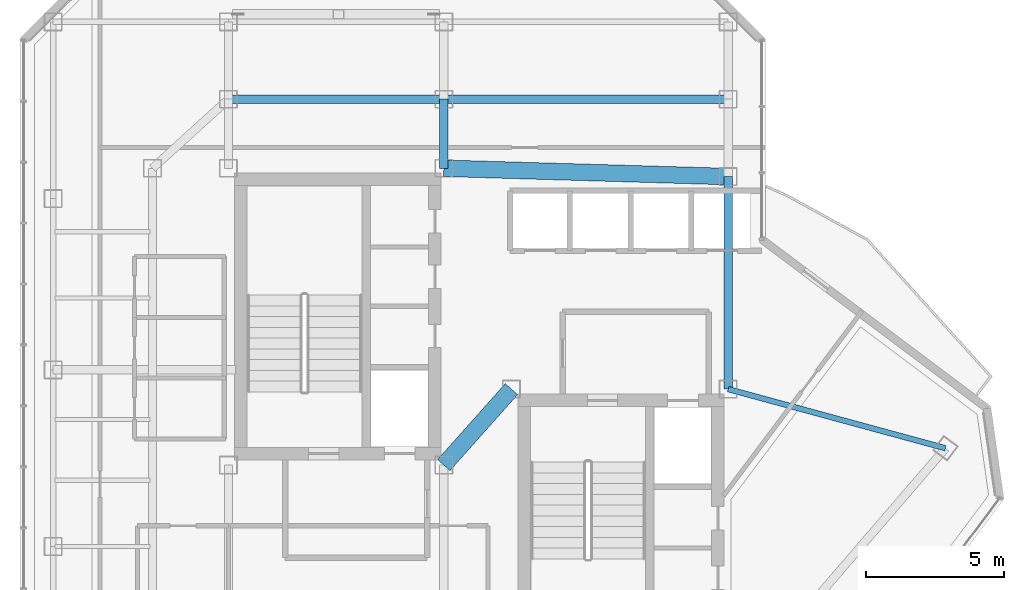
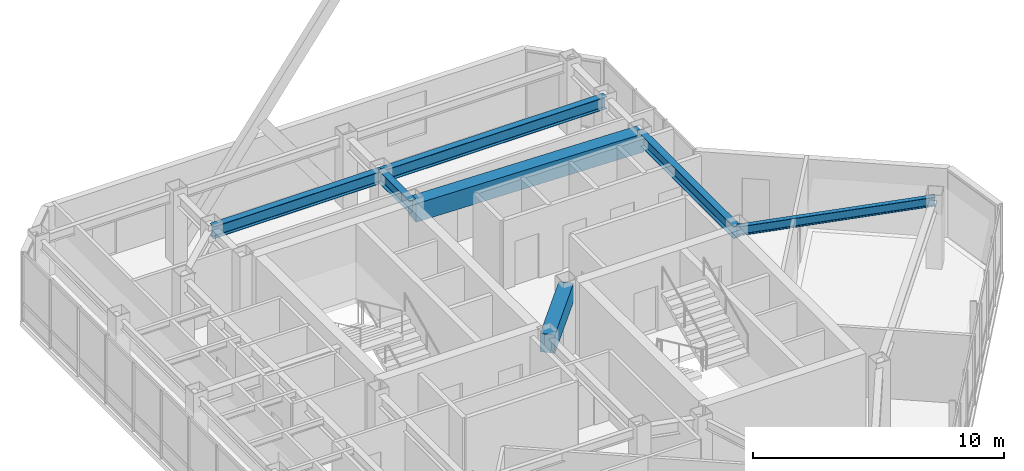
# One storey, part 11 of 22: 7 beams.
"""IFC4 building model written with IfcOpenShell, lengths in metres."""

import ifcopenshell
import ifcopenshell.guid

model = None  # the IFC model being written
_history = None  # IfcOwnerHistory: only IFC2X3 demands one
_inside = {}  # id of a spatial element -> (the spatial element, [elements in it])
_under = {}  # id of a project, library or spatial element -> (it, [spatial elements below it])
_declared = {}  # id of a project -> (the project, [libraries it declares])
_typed = {}  # id of a type object -> (the type object, [elements of that type])
_made_of = {}  # id of a material, layer set ... -> (it, [elements and type objects made of it])


def new_model(schema):
    """Start an empty IFC model of exactly this schema.

    Asked for "IFC4X3", IfcOpenShell would pick the latest addendum, in which some entities
    have other attributes; the version numbers below select the first issue.
    IFC2X3 requires an IfcOwnerHistory on every rooted entity: one is made here for all.
    """
    global model, _history
    if schema == "IFC4X3":
        model = ifcopenshell.file(schema_version=(4, 3, 0, 0))
    else:
        model = ifcopenshell.file(schema=schema)
    _inside.clear()
    _under.clear()
    _declared.clear()
    _typed.clear()
    _made_of.clear()
    _history = None
    if model.schema == "IFC2X3":
        org = make("IfcOrganization", Name="unknown")
        user = make(
            "IfcPersonAndOrganization",
            ThePerson=make("IfcPerson", FamilyName="unknown"),
            TheOrganization=org,
        )
        app = make(
            "IfcApplication",
            ApplicationDeveloper=org,
            Version="unknown",
            ApplicationFullName="unknown",
            ApplicationIdentifier="unknown",
        )
        _history = make(
            "IfcOwnerHistory",
            OwningUser=user,
            OwningApplication=app,
            ChangeAction="ADDED",
            CreationDate=0,
        )
    return model


def make(cls, **values):
    """One entity of the class cls with the attributes given. An attribute that is None is left unset."""
    return model.create_entity(
        cls, **{name: value for name, value in values.items() if value is not None}
    )


def rooted(cls, **values):
    """An entity with a GlobalId (a new one), such as an element, a storey or a relation."""
    return make(cls, GlobalId=ifcopenshell.guid.new(), OwnerHistory=_history, **values)


def si_unit(unit_type, name, prefix=None):
    """IfcSIUnit, for example si_unit("LENGTHUNIT", "METRE", prefix="MILLI")."""
    return make("IfcSIUnit", UnitType=unit_type, Prefix=prefix, Name=name)


def assignment(units):
    """IfcUnitAssignment: the units of a project."""
    return None if units is None else make("IfcUnitAssignment", Units=units)


def point(xyz):
    """IfcCartesianPoint."""
    return None if xyz is None else make("IfcCartesianPoint", Coordinates=xyz)


def direction(xyz):
    """IfcDirection."""
    return None if xyz is None else make("IfcDirection", DirectionRatios=xyz)


def frame(location, z_axis=None, x_axis=None):
    """IfcAxis2Placement3D, a coordinate frame: its origin and axes. An axis left out is left unset."""
    return make(
        "IfcAxis2Placement3D",
        Location=point(location),
        Axis=direction(z_axis),
        RefDirection=direction(x_axis),
    )


def frame_2d(location, x_axis=None):
    """IfcAxis2Placement2D, a coordinate frame in the plane: its origin and x axis."""
    return make(
        "IfcAxis2Placement2D", Location=point(location), RefDirection=direction(x_axis)
    )


def origin():
    """The frame at (0, 0, 0) with its axes left unset."""
    return frame((0.0, 0.0, 0.0))


def origin_2d():
    """The frame at (0, 0) in the plane with its x axis left unset."""
    return frame_2d((0.0, 0.0))


def place(relative_to, where):
    """IfcLocalPlacement: puts the frame where relative to a parent placement (None: the world)."""
    return make(
        "IfcLocalPlacement", PlacementRelTo=relative_to, RelativePlacement=where
    )


def context(
    kind, dimensions, precision=None, world=None, true_north=None, identifier=None
):
    """IfcGeometricRepresentationContext, for example the 3D "Model" context."""
    return make(
        "IfcGeometricRepresentationContext",
        ContextIdentifier=identifier,
        ContextType=kind,
        CoordinateSpaceDimension=dimensions,
        Precision=precision,
        WorldCoordinateSystem=world,
        TrueNorth=true_north,
    )


def subcontext(parent, identifier, kind, view, scale=None):
    """IfcGeometricRepresentationSubContext, for example "Body" below "Model"."""
    return make(
        "IfcGeometricRepresentationSubContext",
        ContextIdentifier=identifier,
        ContextType=kind,
        ParentContext=parent,
        TargetScale=scale,
        TargetView=view,
    )


def project(units=None, contexts=None):
    """IfcProject with its units and contexts."""
    return rooted(
        "IfcProject",
        Name="project",
        RepresentationContexts=contexts,
        UnitsInContext=assignment(units),
    )


def spatial(cls, under=None, at=None, **own):
    """A site, building, storey or space (cls), placed at a placement, below another one or the project."""
    s = rooted(cls, ObjectPlacement=at, **own)
    if under is not None:
        _under.setdefault(under.id(), (under, []))[1].append(s)
    return s


def profile(cls, at=None, kind="AREA", **sizes):
    """A parametric profile (cls). Its sizes go by their IFC names, for example OverallWidth=200.0."""
    return make(cls, ProfileType=kind, Position=at, **sizes)


def rectangle(**sizes):
    """IfcRectangleProfileDef."""
    return profile("IfcRectangleProfileDef", **sizes)


def i_section(**sizes):
    """IfcIShapeProfileDef."""
    return profile("IfcIShapeProfileDef", **sizes)


def extrude(swept, where, along, depth):
    """IfcExtrudedAreaSolid: the profile swept, set in the frame where, extruded along a direction by depth."""
    return make(
        "IfcExtrudedAreaSolid",
        SweptArea=swept,
        Position=where,
        ExtrudedDirection=direction(along),
        Depth=depth,
    )


def shape(context_of_items, identifier, shape_type, items):
    """IfcShapeRepresentation: the items that make up one representation, for example the "Body"."""
    return make(
        "IfcShapeRepresentation",
        ContextOfItems=context_of_items,
        RepresentationIdentifier=identifier,
        RepresentationType=shape_type,
        Items=items,
    )


def material(Name=None, Category=None):
    """IfcMaterial."""
    return make("IfcMaterial", Name=Name, Category=Category)


def material_profile(
    of_material, cross_section, Name=None, Category=None, Priority=None
):
    """IfcMaterialProfile: a cross section and its material."""
    return make(
        "IfcMaterialProfile",
        Name=Name,
        Material=of_material,
        Profile=cross_section,
        Priority=Priority,
        Category=Category,
    )


def profile_set(profiles, Name=None, composite=None):
    """IfcMaterialProfileSet."""
    return make(
        "IfcMaterialProfileSet",
        Name=Name,
        MaterialProfiles=profiles,
        CompositeProfile=composite,
    )


def made_of(thing, what):
    """Note that an element or type object is made of a material, layer set ...; save() writes the relation."""
    if what is not None:
        _made_of.setdefault(what.id(), (what, []))[1].append(thing)
    return thing


def type_object(cls, material=None, **own):
    """A type object (cls), such as IfcWallType, which elements share."""
    return made_of(rooted(cls, **own), material)


def element(
    cls,
    number,
    at=None,
    inside=None,
    cuts=None,
    type_object=None,
    material=None,
    context=None,
    identifier="Body",
    shape_type=None,
    held_by="IfcProductDefinitionShape",
    body=None,
    shapes=None,
    **own,
):
    """One element of the class cls, such as IfcWall. Its Tag is "e" and its number.

    at: its placement. inside: the storey or other place that contains it. cuts: it is an
    opening in that element (IfcRelVoidsElement). A single representation is given by context,
    identifier, shape_type and body (its items); several are given by shapes. held_by: the class
    of the entity that holds the representations. save() writes the other relations.
    """
    e = rooted(cls, Tag="e%d" % number, ObjectPlacement=at, **own)
    if body is not None:
        shapes = [shape(context, identifier, shape_type, body)]
    if shapes is not None:
        e.Representation = make(held_by, Representations=shapes)
    if inside is not None:
        _inside.setdefault(inside.id(), (inside, []))[1].append(e)
    if cuts is not None:
        rooted(
            "IfcRelVoidsElement", RelatingBuildingElement=cuts, RelatedOpeningElement=e
        )
    if type_object is not None:
        _typed.setdefault(type_object.id(), (type_object, []))[1].append(e)
    return made_of(e, material)


def aggregate(whole, parts):
    """IfcRelAggregates: a whole, such as a stair, and the parts it consists of."""
    return rooted("IfcRelAggregates", RelatingObject=whole, RelatedObjects=parts)


def save(model, path):
    """Write the relations noted so far, then the file.

    IfcRelAggregates (storeys below a building ...), IfcRelContainedInSpatialStructure (elements
    in a storey), IfcRelDefinesByType, IfcRelAssociatesMaterial and IfcRelDeclares: one each for
    every whole, place, type object, material and project.
    """
    for whole, parts in _under.values():
        aggregate(whole, parts)
    for where, things in _inside.values():
        rooted(
            "IfcRelContainedInSpatialStructure",
            RelatedElements=things,
            RelatingStructure=where,
        )
    for kind, things in _typed.values():
        rooted("IfcRelDefinesByType", RelatedObjects=things, RelatingType=kind)
    for what, things in _made_of.values():
        rooted("IfcRelAssociatesMaterial", RelatedObjects=things, RelatingMaterial=what)
    for by, libraries in _declared.values():
        rooted("IfcRelDeclares", RelatingContext=by, RelatedDefinitions=libraries)
    model.write(path)


model = new_model("IFC4")

# Units and contexts
model_context = context("Model", 3, precision=1e-05, world=origin(), true_north=direction((0.0, 1.0)))
body_context = subcontext(model_context, "Body", "Model", "MODEL_VIEW")
ifc_project = project(units=[si_unit("LENGTHUNIT", "METRE"), si_unit("AREAUNIT", "SQUARE_METRE"), si_unit("VOLUMEUNIT", "CUBIC_METRE"), si_unit("PLANEANGLEUNIT", "RADIAN"), si_unit("MASSUNIT", "GRAM", prefix="KILO")], contexts=[model_context])

# Site, building, storey
site_placement = place(None, origin())
site = spatial("IfcSite", under=ifc_project, at=site_placement, CompositionType="ELEMENT")
building_placement = place(site_placement, origin())
building = spatial("IfcBuilding", under=site, at=building_placement, Name="Hatsunagi Terrace Concourse", CompositionType="ELEMENT")
storey_placement = place(building_placement, frame((0.0, 0.0, 239.550048828125)))
storey = spatial("IfcBuildingStorey", under=building, at=storey_placement, Name="L63", CompositionType="ELEMENT", Elevation=239.550048828125)

# Beams
ifc_material_1 = material(Name="Concrete Fc42", Category="concrete")
ifc_material_profile_1 = material_profile(ifc_material_1, rectangle(XDim=0.60009765625, YDim=0.89990234375, at=origin_2d()), Name="RC-600x900")
ifc_profile_set_1 = profile_set([ifc_material_profile_1], Name="Concrete Fc42")
beam_type_1 = type_object("IfcBeamType", Name="CoreCouplingBeam_RC_600x900", PredefinedType="BEAM", material=ifc_profile_set_1)
beam_1_placement = place(storey_placement, frame((33.35009765625, 32.550048828125, 2.89990234375), z_axis=(0.665198651008, 0.746666427997, 0.0), x_axis=(-0.746666427997, 0.665198651008, 0.0)))
element("IfcBeam", 1, at=beam_1_placement, inside=storey, type_object=beam_type_1, Name="Beam CB-03 CB-L63-1", PredefinedType="BEAM", context=body_context, shape_type="SweptSolid", body=[
    extrude(rectangle(XDim=0.60009765625, YDim=0.89990234375, at=origin_2d()), origin(), (0.0, 0.0, 1.0), 3.68310546875),
])
beam_2_placement = place(storey_placement, frame((33.35009765625, 43.300048828125, 2.89990234375), z_axis=(0.999575947545, -0.029119153303, 0.0), x_axis=(0.029119153303, 0.999575947545, 0.0)))
element("IfcBeam", 2, at=beam_2_placement, inside=storey, type_object=beam_type_1, Name="Beam CB-03 CB-L63-2", PredefinedType="BEAM", context=body_context, shape_type="SweptSolid", body=[
    extrude(rectangle(XDim=0.60009765625, YDim=0.89990234375, at=origin_2d()), origin(), (0.0, 0.0, 1.0), 10.30419921875),
])
ifc_material_2 = material(Name="Steel SN490B", Category="steel")
ifc_material_profile_2 = material_profile(ifc_material_2, i_section(OverallWidth=0.300048828125, OverallDepth=0.587890625, WebThickness=0.011962890625, FlangeThickness=0.02001953125, FilletRadius=0.01806640625, at=origin_2d()), Name="H-588x300x12x20")
ifc_profile_set_2 = profile_set([ifc_material_profile_2], Name="Steel SN490B")
beam_type_2 = type_object("IfcBeamType", Name="OfficeHighGirder_H_588x300", PredefinedType="BEAM", material=ifc_profile_set_2)
beam_3_placement = place(storey_placement, frame((43.64990234375, 35.300048828125, 3.055908203125), z_axis=(0.0, 1.0, 0.0), x_axis=(-1.0, 0.0, 0.0)))
element("IfcBeam", 3, at=beam_3_placement, inside=storey, type_object=beam_type_2, Name="Beam G-06 BM-L63-CBK3", PredefinedType="BEAM", context=body_context, shape_type="SweptSolid", body=[
    extrude(i_section(OverallWidth=0.300048828125, OverallDepth=0.587890625, WebThickness=0.011962890625, FlangeThickness=0.02001953125, FilletRadius=0.01806640625, at=origin_2d()), origin(), (0.0, 0.0, 1.0), 7.699951171875),
])
beam_4_placement = place(storey_placement, frame((33.35009765625, 43.300048828125, 3.055908203125), z_axis=(0.0, 1.0, 0.0), x_axis=(-1.0, 0.0, 0.0)))
element("IfcBeam", 4, at=beam_4_placement, inside=storey, type_object=beam_type_2, Name="Beam G-06 BM-L63-CN2", PredefinedType="BEAM", context=body_context, shape_type="SweptSolid", body=[
    extrude(i_section(OverallWidth=0.300048828125, OverallDepth=0.587890625, WebThickness=0.011962890625, FlangeThickness=0.02001953125, FilletRadius=0.01806640625, at=origin_2d()), origin(), (0.0, 0.0, 1.0), 2.5),
])
beam_5_placement = place(storey_placement, frame((25.550048828125, 45.800048828125, 3.055908203125), z_axis=(1.0, 0.0, 0.0), x_axis=(0.0, 1.0, 0.0)))
element("IfcBeam", 5, at=beam_5_placement, inside=storey, type_object=beam_type_2, Name="Beam G-06 BM-L63-CNEW1", PredefinedType="BEAM", context=body_context, shape_type="SweptSolid", body=[
    extrude(i_section(OverallWidth=0.300048828125, OverallDepth=0.587890625, WebThickness=0.011962890625, FlangeThickness=0.02001953125, FilletRadius=0.01806640625, at=origin_2d()), origin(), (0.0, 0.0, 1.0), 7.800048828125),
])
beam_6_placement = place(storey_placement, frame((33.35009765625, 45.800048828125, 3.055908203125), z_axis=(1.0, 0.0, 0.0), x_axis=(0.0, 1.0, 0.0)))
element("IfcBeam", 6, at=beam_6_placement, inside=storey, type_object=beam_type_2, Name="Beam G-06 BM-L63-CNEW2", PredefinedType="BEAM", context=body_context, shape_type="SweptSolid", body=[
    extrude(i_section(OverallWidth=0.300048828125, OverallDepth=0.587890625, WebThickness=0.011962890625, FlangeThickness=0.02001953125, FilletRadius=0.01806640625, at=origin_2d()), origin(), (0.0, 0.0, 1.0), 10.2998046875),
])
ifc_material_3 = material(Name="Steel SN490B", Category="steel")
ifc_material_profile_3 = material_profile(ifc_material_3, i_section(OverallWidth=0.199951171875, OverallDepth=0.449951171875, WebThickness=0.009033203125, FlangeThickness=0.013916015625, FilletRadius=0.01611328125, at=origin_2d()), Name="H-450x200x9x14")
ifc_profile_set_3 = profile_set([ifc_material_profile_3], Name="Steel SN490B")
beam_type_3 = type_object("IfcBeamType", Name="PerimeterSpandrel_H_450x200", PredefinedType="SPANDREL", material=ifc_profile_set_3)
beam_7_placement = place(storey_placement, frame((43.64990234375, 35.300048828125, 3.125), z_axis=(0.964958359286, -0.262403057994, 0.0), x_axis=(0.262403057994, 0.964958359286, 0.0)))
element("IfcBeam", 7, at=beam_7_placement, inside=storey, type_object=beam_type_3, Name="Beam SP-02 BM-L63-SE-NE0", PredefinedType="SPANDREL", context=body_context, shape_type="SweptSolid", body=[
    extrude(i_section(OverallWidth=0.199951171875, OverallDepth=0.449951171875, WebThickness=0.009033203125, FlangeThickness=0.013916015625, FilletRadius=0.01611328125, at=origin_2d()), origin(), (0.0, 0.0, 1.0), 8.156005859375),
])

save(model, "model.ifc")
